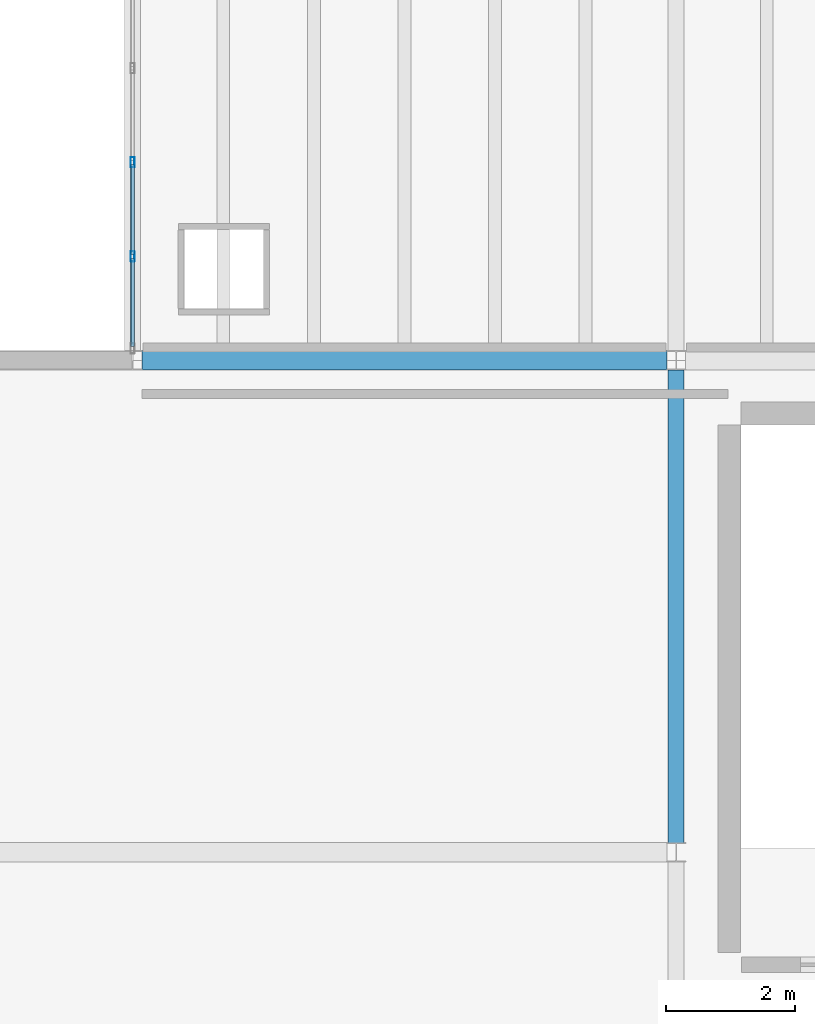
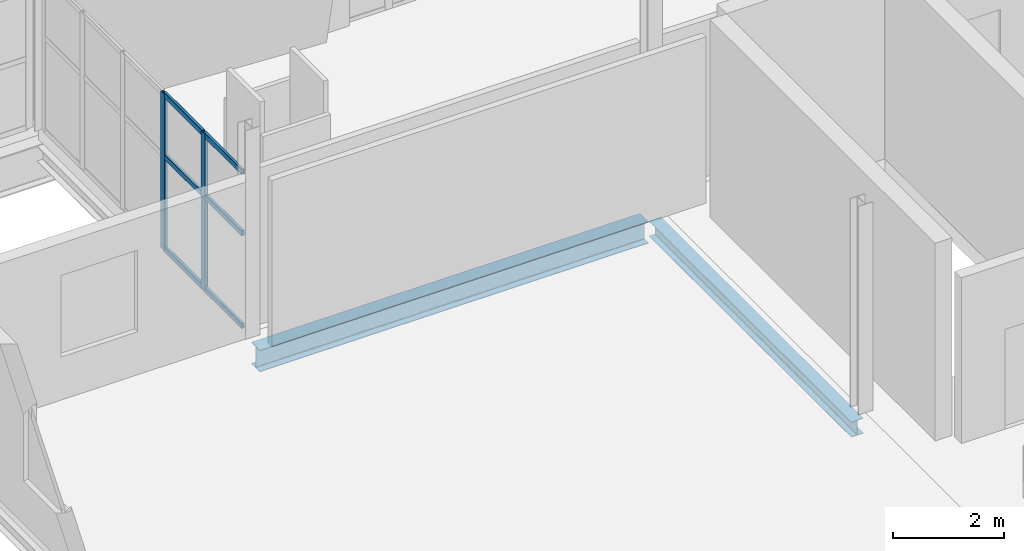
# One storey, part 11 of 136: 8 members, 2 beams, 1 element without a shape of its own.
"""IFC4 building model written with IfcOpenShell, lengths in metres."""

from ifc_helpers import new_model, si_unit, direction, frame, origin, origin_2d, place, context, subcontext, project, spatial, hollow_rectangle, i_section, extrude, material, material_profile, profile_set, type_object, element, aggregate, save


model = new_model("IFC4")

# Units and contexts
model_context = context("Model", 3, precision=1e-05, world=origin(), true_north=direction((0.0, 1.0)))
body_context = subcontext(model_context, "Body", "Model", "MODEL_VIEW")
ifc_project = project(units=[si_unit("LENGTHUNIT", "METRE"), si_unit("AREAUNIT", "SQUARE_METRE"), si_unit("VOLUMEUNIT", "CUBIC_METRE"), si_unit("PLANEANGLEUNIT", "RADIAN"), si_unit("MASSUNIT", "GRAM", prefix="KILO")], contexts=[model_context])

# Site, building, storey
site_placement = place(None, origin())
site = spatial("IfcSite", under=ifc_project, at=site_placement, CompositionType="ELEMENT")
building_placement = place(site_placement, origin())
building = spatial("IfcBuilding", under=site, at=building_placement, Name="Shengluoqiao Park Theatre", CompositionType="ELEMENT")
storey_placement = place(building_placement, frame((0.0, 0.0, 10.0)))
storey = spatial("IfcBuildingStorey", under=building, at=storey_placement, Name="L02", CompositionType="ELEMENT", Elevation=10.0)

# Curtain wall, members
ifc_material_1 = material(Name="Aluminium 6063-T6", Category="aluminium")
curtain_wall_type = type_object("IfcCurtainWallType", Name="ENV-CW-COURT", PredefinedType="NOTDEFINED", material=ifc_material_1)
curtain_wall_placement = place(storey_placement, origin())
curtain_wall = element("IfcCurtainWall", 1, at=curtain_wall_placement, inside=storey, type_object=curtain_wall_type, Name="L02 Curtain Wall CWX-L02-0165", PredefinedType="NOTDEFINED")
ifc_material_profile_1 = material_profile(ifc_material_1, hollow_rectangle(XDim=0.06005859375, YDim=0.159912109375, WallThickness=0.00390625, InnerFilletRadius=0.00390625, OuterFilletRadius=0.008056640625, at=origin_2d()), Name="ALU MULLION 160x60x4")
ifc_profile_set_1 = profile_set([ifc_material_profile_1], Name="Aluminium 6063-T6")
member_type_1 = type_object("IfcMemberType", Name="ENV-MUL-160", PredefinedType="MULLION", material=ifc_profile_set_1)
member_1_placement = place(storey_placement, frame((19.199951171875, 24.407958984375, 0.0), z_axis=(0.0, 0.0, 1.0), x_axis=(-1.0, 0.0, 0.0)))
member_1 = element("IfcMember", 2, at=member_1_placement, type_object=member_type_1, Name="CW-05 mullion 2", PredefinedType="MULLION", context=body_context, shape_type="SweptSolid", body=[
    extrude(hollow_rectangle(XDim=0.06005859375, YDim=0.159912109375, WallThickness=0.00390625, InnerFilletRadius=0.00390625, OuterFilletRadius=0.008056640625, at=origin_2d()), origin(), (0.0, 0.0, 1.0), 3.4580078125),
])
member_2_placement = place(storey_placement, frame((19.199951171875, 25.862060546875, 0.0), z_axis=(0.0, 0.0, 1.0), x_axis=(-1.0, 0.0, 0.0)))
member_2 = element("IfcMember", 3, at=member_2_placement, type_object=member_type_1, Name="CW-05 mullion 3", PredefinedType="MULLION", context=body_context, shape_type="SweptSolid", body=[
    extrude(hollow_rectangle(XDim=0.06005859375, YDim=0.159912109375, WallThickness=0.00390625, InnerFilletRadius=0.00390625, OuterFilletRadius=0.008056640625, at=origin_2d()), origin(), (0.0, 0.0, 1.0), 3.4580078125),
])
ifc_material_profile_2 = material_profile(ifc_material_1, hollow_rectangle(XDim=0.06005859375, YDim=0.1201171875, WallThickness=0.00390625, InnerFilletRadius=0.00390625, OuterFilletRadius=0.008056640625, at=origin_2d()), Name="ALU TRANSOM 120x60x4")
ifc_profile_set_2 = profile_set([ifc_material_profile_2], Name="Aluminium 6063-T6")
member_type_2 = type_object("IfcMemberType", Name="ENV-TRN-120", PredefinedType="USERDEFINED", material=ifc_profile_set_2)
member_3_placement = place(storey_placement, frame((19.199951171875, 23.013916015625, 0.030029296875), z_axis=(0.0, 1.0, 0.0), x_axis=(-1.0, 0.0, 0.0)))
member_3 = element("IfcMember", 4, at=member_3_placement, type_object=member_type_2, Name="CW-05 transom 1.1", ObjectType="TRANSOM", PredefinedType="USERDEFINED", context=body_context, shape_type="SweptSolid", body=[
    extrude(hollow_rectangle(XDim=0.06005859375, YDim=0.1201171875, WallThickness=0.00390625, InnerFilletRadius=0.00390625, OuterFilletRadius=0.008056640625, at=origin_2d()), origin(), (0.0, 0.0, 1.0), 1.364013671875),
])
member_4_placement = place(storey_placement, frame((19.199951171875, 23.013916015625, 2.074951171875), z_axis=(0.0, 1.0, 0.0), x_axis=(-1.0, 0.0, 0.0)))
member_4 = element("IfcMember", 5, at=member_4_placement, type_object=member_type_2, Name="CW-05 transom 1.2", ObjectType="TRANSOM", PredefinedType="USERDEFINED", context=body_context, shape_type="SweptSolid", body=[
    extrude(hollow_rectangle(XDim=0.06005859375, YDim=0.1201171875, WallThickness=0.00390625, InnerFilletRadius=0.00390625, OuterFilletRadius=0.008056640625, at=origin_2d()), origin(), (0.0, 0.0, 1.0), 1.364013671875),
])
member_5_placement = place(storey_placement, frame((19.199951171875, 23.013916015625, 3.427978515625), z_axis=(0.0, 1.0, 0.0), x_axis=(-1.0, 0.0, 0.0)))
member_5 = element("IfcMember", 6, at=member_5_placement, type_object=member_type_2, Name="CW-05 transom 1.3", ObjectType="TRANSOM", PredefinedType="USERDEFINED", context=body_context, shape_type="SweptSolid", body=[
    extrude(hollow_rectangle(XDim=0.06005859375, YDim=0.1201171875, WallThickness=0.00390625, InnerFilletRadius=0.00390625, OuterFilletRadius=0.008056640625, at=origin_2d()), origin(), (0.0, 0.0, 1.0), 1.364013671875),
])
member_6_placement = place(storey_placement, frame((19.199951171875, 24.43798828125, 0.030029296875), z_axis=(0.0, 1.0, 0.0), x_axis=(-1.0, 0.0, 0.0)))
member_6 = element("IfcMember", 7, at=member_6_placement, type_object=member_type_2, Name="CW-05 transom 2.1", ObjectType="TRANSOM", PredefinedType="USERDEFINED", context=body_context, shape_type="SweptSolid", body=[
    extrude(hollow_rectangle(XDim=0.06005859375, YDim=0.1201171875, WallThickness=0.00390625, InnerFilletRadius=0.00390625, OuterFilletRadius=0.008056640625, at=origin_2d()), origin(), (0.0, 0.0, 1.0), 1.39404296875),
])
member_7_placement = place(storey_placement, frame((19.199951171875, 24.43798828125, 2.074951171875), z_axis=(0.0, 1.0, 0.0), x_axis=(-1.0, 0.0, 0.0)))
member_7 = element("IfcMember", 8, at=member_7_placement, type_object=member_type_2, Name="CW-05 transom 2.2", ObjectType="TRANSOM", PredefinedType="USERDEFINED", context=body_context, shape_type="SweptSolid", body=[
    extrude(hollow_rectangle(XDim=0.06005859375, YDim=0.1201171875, WallThickness=0.00390625, InnerFilletRadius=0.00390625, OuterFilletRadius=0.008056640625, at=origin_2d()), origin(), (0.0, 0.0, 1.0), 1.39404296875),
])
member_8_placement = place(storey_placement, frame((19.199951171875, 24.43798828125, 3.427978515625), z_axis=(0.0, 1.0, 0.0), x_axis=(-1.0, 0.0, 0.0)))
member_8 = element("IfcMember", 9, at=member_8_placement, type_object=member_type_2, Name="CW-05 transom 2.3", ObjectType="TRANSOM", PredefinedType="USERDEFINED", context=body_context, shape_type="SweptSolid", body=[
    extrude(hollow_rectangle(XDim=0.06005859375, YDim=0.1201171875, WallThickness=0.00390625, InnerFilletRadius=0.00390625, OuterFilletRadius=0.008056640625, at=origin_2d()), origin(), (0.0, 0.0, 1.0), 1.39404296875),
])
aggregate(curtain_wall, [member_1, member_2, member_3, member_4, member_5, member_6, member_7, member_8])

# Beams
ifc_material_2 = material(Name="Steel Q355", Category="steel")
ifc_material_profile_3 = material_profile(ifc_material_2, i_section(OverallWidth=0.25, OverallDepth=0.340087890625, WebThickness=0.009033203125, FlangeThickness=0.013916015625, FilletRadius=0.01611328125, at=origin_2d()), Name="HM 340x250x9x14")
ifc_profile_set_3 = profile_set([ifc_material_profile_3], Name="Steel Q355")
beam_type_1 = type_object("IfcBeamType", Name="STR-BM-G-HM340", PredefinedType="BEAM", material=ifc_profile_set_3)
beam_1_placement = place(storey_placement, frame((27.60009765625, 15.343994140625, -0.510009765625), z_axis=(0.0, 1.0, 0.0), x_axis=(-1.0, 0.0, 0.0)))
element("IfcBeam", 10, at=beam_1_placement, inside=storey, type_object=beam_type_1, Name="L02 Transverse Girder 00903", PredefinedType="BEAM", context=body_context, shape_type="SweptSolid", body=[
    extrude(i_section(OverallWidth=0.25, OverallDepth=0.340087890625, WebThickness=0.009033203125, FlangeThickness=0.013916015625, FilletRadius=0.01611328125, at=origin_2d()), origin(), (0.0, 0.0, 1.0), 7.31201171875),
])
ifc_material_profile_4 = material_profile(ifc_material_2, i_section(OverallWidth=0.300048828125, OverallDepth=0.48193359375, WebThickness=0.010986328125, FlangeThickness=0.014892578125, FilletRadius=0.02197265625, at=origin_2d()), Name="HM 482x300x11x15")
ifc_profile_set_4 = profile_set([ifc_material_profile_4], Name="Steel Q355")
beam_type_2 = type_object("IfcBeamType", Name="STR-BM-G-HM482", PredefinedType="BEAM", material=ifc_profile_set_4)
beam_2_placement = place(storey_placement, frame((19.343994140625, 22.800048828125, -0.5810546875), z_axis=(1.0, 0.0, 0.0), x_axis=(0.0, 1.0, 0.0)))
element("IfcBeam", 11, at=beam_2_placement, inside=storey, type_object=beam_type_2, Name="L02 Primary Girder 00897", PredefinedType="BEAM", context=body_context, shape_type="SweptSolid", body=[
    extrude(i_section(OverallWidth=0.300048828125, OverallDepth=0.48193359375, WebThickness=0.010986328125, FlangeThickness=0.014892578125, FilletRadius=0.02197265625, at=origin_2d()), origin(), (0.0, 0.0, 1.0), 8.112060546875),
])

save(model, "model.ifc")
